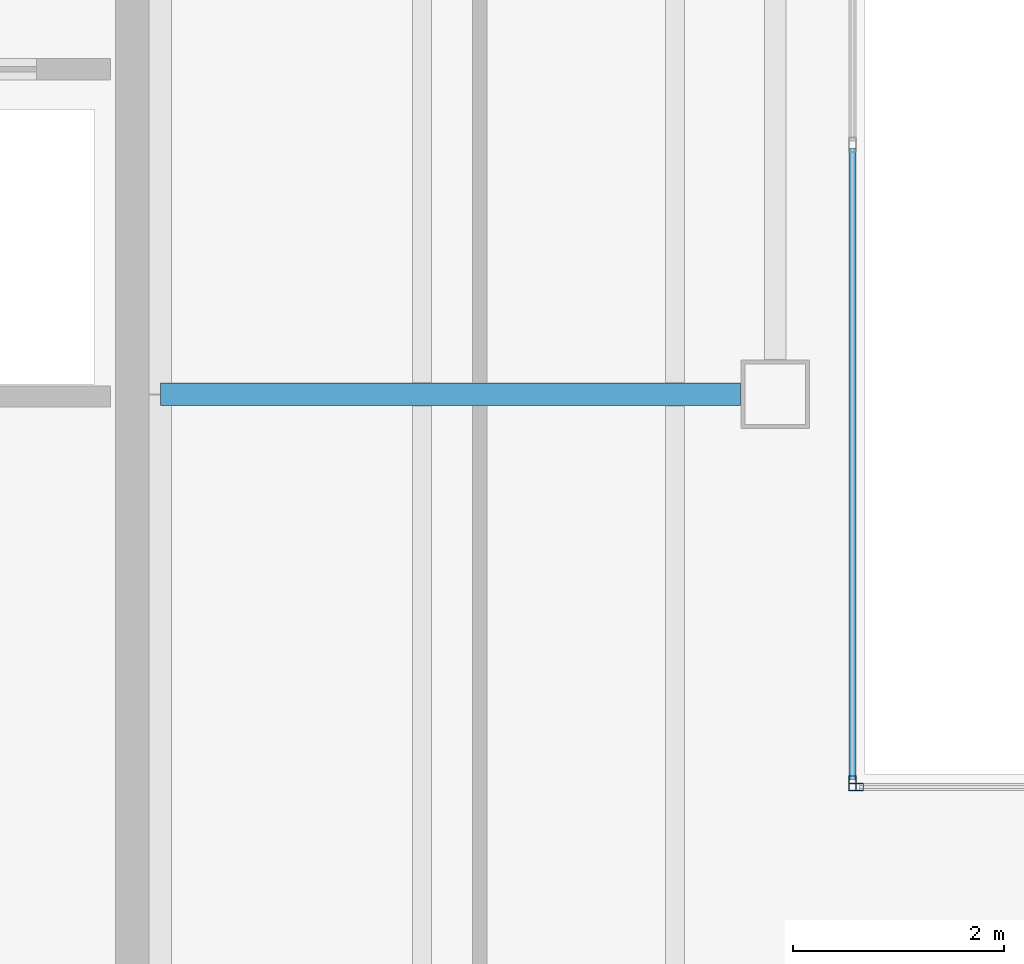
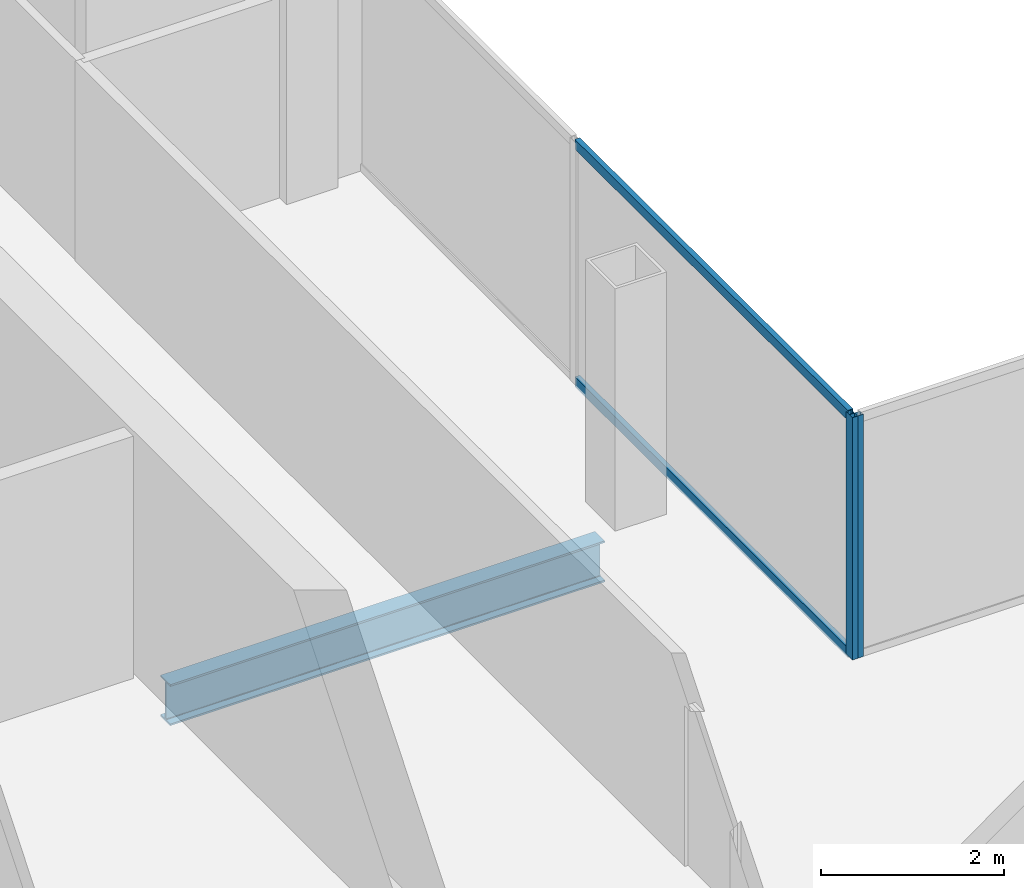
# One storey, part 8 of 23: 4 members, 1 beam, 2 elements without a shape of their own.
"""IFC4 building model written with IfcOpenShell, lengths in metres."""

from ifc_helpers import new_model, si_unit, direction, frame, origin, origin_2d, place, context, subcontext, project, spatial, hollow_rectangle, i_section, extrude, material, material_profile, profile_set, type_object, element, aggregate, save


model = new_model("IFC4")

# Units and contexts
model_context = context("Model", 3, precision=1e-05, world=origin(), true_north=direction((0.0, 1.0)))
body_context = subcontext(model_context, "Body", "Model", "MODEL_VIEW")
ifc_project = project(units=[si_unit("LENGTHUNIT", "METRE"), si_unit("AREAUNIT", "SQUARE_METRE"), si_unit("VOLUMEUNIT", "CUBIC_METRE"), si_unit("PLANEANGLEUNIT", "RADIAN"), si_unit("MASSUNIT", "GRAM", prefix="KILO")], contexts=[model_context])

# Site, building, storey
site_placement = place(None, origin())
site = spatial("IfcSite", under=ifc_project, at=site_placement, CompositionType="ELEMENT")
building_placement = place(site_placement, origin())
building = spatial("IfcBuilding", under=site, at=building_placement, Name="Cobrela Telecom Tower", CompositionType="ELEMENT")
storey_placement = place(building_placement, frame((0.0, 0.0, 276.14990234375)))
storey = spatial("IfcBuildingStorey", under=building, at=storey_placement, Name="L72", CompositionType="ELEMENT", Elevation=276.14990234375)

# Beam
ifc_material_1 = material(Name="Steel ASTM A992 Grade 50", Category="steel")
ifc_material_profile_1 = material_profile(ifc_material_1, i_section(OverallWidth=0.212890625, OverallDepth=0.549072265625, WebThickness=0.0146484375, FlangeThickness=0.023681640625, FilletRadius=0.013916015625, at=origin_2d()), Name="W21X93")
ifc_profile_set_1 = profile_set([ifc_material_profile_1], Name="Steel ASTM A992 Grade 50")
beam_type = type_object("IfcBeamType", Name="BM-GIRD-08", PredefinedType="USERDEFINED", material=ifc_profile_set_1)
beam_placement = place(storey_placement, frame((14.324951171875, 28.800048828125, -0.534423828125), z_axis=(1.0, 0.0, 0.0), x_axis=(0.0, 1.0, 0.0)))
element("IfcBeam", 1, at=beam_placement, inside=storey, type_object=beam_type, Name="L72 Primary Girder X15", ObjectType="GIRDER", PredefinedType="USERDEFINED", context=body_context, shape_type="SweptSolid", body=[
    extrude(i_section(OverallWidth=0.212890625, OverallDepth=0.549072265625, WebThickness=0.0146484375, FlangeThickness=0.023681640625, FilletRadius=0.013916015625, at=origin_2d()), origin(), (0.0, 0.0, 1.0), 5.4951171875),
])

# Curtain wall, member
ifc_material_2 = material(Name="Anodized Bronze Aluminium 6063-T6", Category="aluminium")
curtain_wall_type = type_object("IfcCurtainWallType", Name="CW-SYS-OFF-HI", PredefinedType="USERDEFINED", material=ifc_material_2)
curtain_wall_1_placement = place(storey_placement, origin())
curtain_wall_1 = element("IfcCurtainWall", 2, at=curtain_wall_1_placement, inside=storey, type_object=curtain_wall_type, Name="L72 Unitised Bronze Curtain Wall 08", ObjectType="UNITISED CURTAIN WALL", PredefinedType="USERDEFINED")
ifc_material_profile_2 = material_profile(ifc_material_2, hollow_rectangle(XDim=0.070068359375, YDim=0.139892578125, WallThickness=0.00390625, at=origin_2d()), Name="ALU 70x140x4")
ifc_profile_set_2 = profile_set([ifc_material_profile_2], Name="Anodized Bronze Aluminium 6063-T6")
member_type_1 = type_object("IfcMemberType", Name="CW-SYS-OFF-HI-MUL", PredefinedType="MULLION", material=ifc_profile_set_2)
member_1_placement = place(storey_placement, frame((20.8798828125, 25.114990234375, 0.0), z_axis=(0.0, 0.0, 1.0), x_axis=(1.0, 0.0, 0.0)))
member_1 = element("IfcMember", 3, at=member_1_placement, type_object=member_type_1, Name="CW-OFF-HI mullion 3", PredefinedType="MULLION", context=body_context, shape_type="SweptSolid", body=[
    extrude(hollow_rectangle(XDim=0.070068359375, YDim=0.139892578125, WallThickness=0.00390625, at=origin_2d()), origin(), (0.0, 0.0, 1.0), 3.239990234375),
])

curtain_wall_2_placement = place(storey_placement, origin())
curtain_wall_2 = element("IfcCurtainWall", 4, at=curtain_wall_2_placement, inside=storey, type_object=curtain_wall_type, Name="L72 Unitised Bronze Curtain Wall 09", ObjectType="UNITISED CURTAIN WALL", PredefinedType="USERDEFINED")
member_2_placement = place(storey_placement, frame((20.9150390625, 25.080078125, 0.0), z_axis=(0.0, 0.0, 1.0), x_axis=(0.0, 1.0, 0.0)))
member_2 = element("IfcMember", 5, at=member_2_placement, type_object=member_type_1, Name="CW-OFF-HI mullion 1", PredefinedType="MULLION", context=body_context, shape_type="SweptSolid", body=[
    extrude(hollow_rectangle(XDim=0.070068359375, YDim=0.139892578125, WallThickness=0.00390625, at=origin_2d()), origin(), (0.0, 0.0, 1.0), 3.239990234375),
])
aggregate(curtain_wall_2, [member_2])

# Member
ifc_material_profile_3 = material_profile(ifc_material_2, hollow_rectangle(XDim=0.06494140625, YDim=0.1298828125, WallThickness=0.00390625, at=origin_2d()), Name="ALU 65x130x4")
ifc_profile_set_3 = profile_set([ifc_material_profile_3], Name="Anodized Bronze Aluminium 6063-T6")
member_type_2 = type_object("IfcMemberType", Name="CW-SYS-OFF-HI-TRN", PredefinedType="USERDEFINED", material=ifc_profile_set_3)
member_3_placement = place(storey_placement, frame((20.8798828125, 31.1298828125, 0.03271484375), z_axis=(0.0, -1.0, 0.0), x_axis=(1.0, 0.0, 0.0)))
member_3 = element("IfcMember", 6, at=member_3_placement, type_object=member_type_2, Name="CW-OFF-HI transom 2.1", ObjectType="TRANSOM", PredefinedType="USERDEFINED", context=body_context, shape_type="SweptSolid", body=[
    extrude(hollow_rectangle(XDim=0.06494140625, YDim=0.1298828125, WallThickness=0.00390625, at=origin_2d()), origin(), (0.0, 0.0, 1.0), 5.97998046875),
])

member_4_placement = place(storey_placement, frame((20.8798828125, 31.1298828125, 3.20751953125), z_axis=(0.0, -1.0, 0.0), x_axis=(1.0, 0.0, 0.0)))
member_4 = element("IfcMember", 7, at=member_4_placement, type_object=member_type_2, Name="CW-OFF-HI transom 2.2", ObjectType="TRANSOM", PredefinedType="USERDEFINED", context=body_context, shape_type="SweptSolid", body=[
    extrude(hollow_rectangle(XDim=0.06494140625, YDim=0.1298828125, WallThickness=0.00390625, at=origin_2d()), origin(), (0.0, 0.0, 1.0), 5.97998046875),
])

aggregate(curtain_wall_1, [member_1, member_3, member_4])

save(model, "model.ifc")
